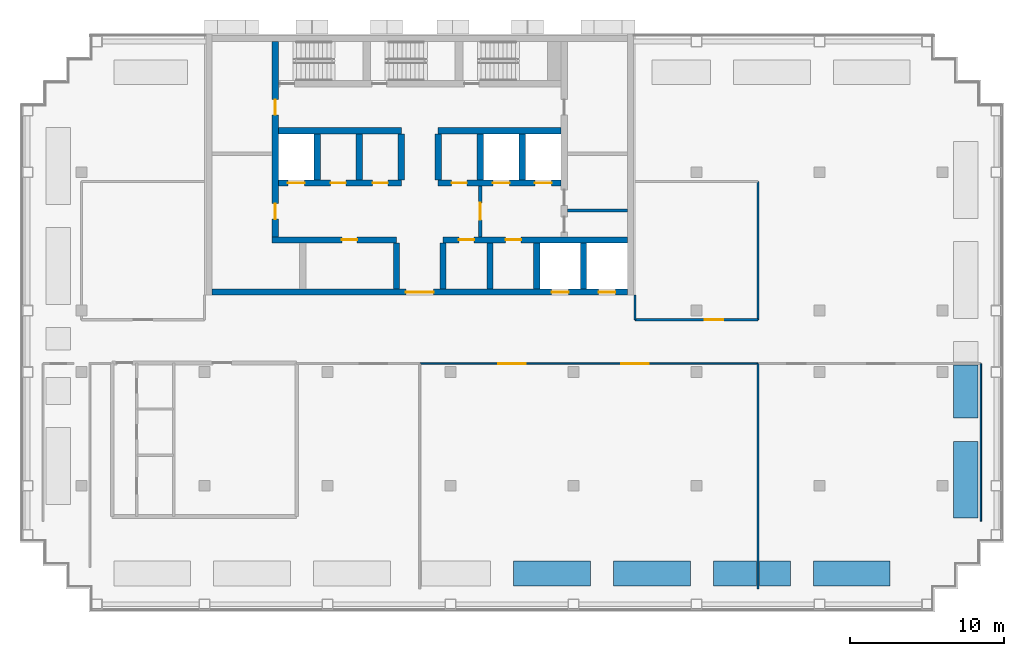
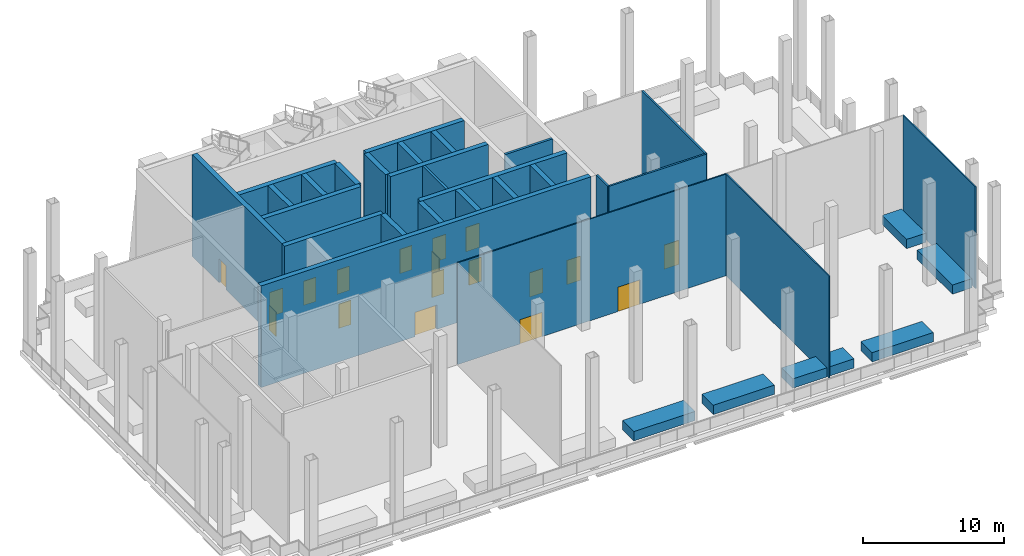
# One storey, part 3 of 9: 34 walls, 18 doors, 18 openings.
"""IFC4 building model written with IfcOpenShell, lengths in metres."""

from ifc_helpers import new_model, si_unit, direction, frame, frame_2d, origin, place, context, subcontext, project, spatial, rectangle, extrude, material, layer, layer_set, type_object, element, fill, save


model = new_model("IFC4")

# Units and contexts
model_context = context("Model", 3, precision=1e-05, world=origin(), true_north=direction((0.0, 1.0)))
body_context = subcontext(model_context, "Body", "Model", "MODEL_VIEW")
ifc_project = project(units=[si_unit("LENGTHUNIT", "METRE"), si_unit("AREAUNIT", "SQUARE_METRE"), si_unit("VOLUMEUNIT", "CUBIC_METRE"), si_unit("PLANEANGLEUNIT", "RADIAN"), si_unit("MASSUNIT", "GRAM", prefix="KILO")], contexts=[model_context])

# Site, building, storey
site_placement = place(None, origin())
site = spatial("IfcSite", under=ifc_project, at=site_placement, CompositionType="ELEMENT")
building_placement = place(site_placement, origin())
building = spatial("IfcBuilding", under=site, at=building_placement, Name="Vidyagriha Tower", CompositionType="ELEMENT")
storey_placement = place(building_placement, frame((0.0, 0.0, 194.10009765625)))
storey = spatial("IfcBuildingStorey", under=building, at=storey_placement, Name="L51", CompositionType="ELEMENT", Elevation=194.10009765625)

# Walls
ifc_material_1 = material(Name="Precast concrete C40/50 with brick facing", Category="concrete")
ifc_layer_1 = layer(ifc_material_1, 1.60009765625)
ifc_layer_set_1 = layer_set([ifc_layer_1], Name="Precast concrete C40/50 with brick facing")
wall_type_1 = type_object("IfcWallType", Name="Brick planter box 1600", PredefinedType="STANDARD", material=ifc_layer_set_1)
for number, where, name in (
    (1, (6.10009765625, -15.10009765625, 0.0), "PLANTER L51 13"),
    (2, (12.60009765625, -15.10009765625, 0.0), "PLANTER L51 14"),
    (3, (25.60009765625, -15.10009765625, 0.0), "PLANTER L51 16"),
):
    element("IfcWall", number, at=place(storey_placement, frame(where)), inside=storey, type_object=wall_type_1, Name=name, PredefinedType="STANDARD", context=body_context, shape_type="SweptSolid", body=[
        extrude(rectangle(XDim=5.0, YDim=1.60009765625, at=frame_2d((2.5, 0.0))), origin(), (0.0, 0.0, 1.0), 0.7998046875),
    ])
wall_1_placement = place(storey_placement, frame((35.5, -11.5, 0.0), z_axis=(0.0, 0.0, 1.0), x_axis=(0.0, 1.0, 0.0)))
element("IfcWall", 4, at=wall_1_placement, inside=storey, type_object=wall_type_1, Name="PLANTER L51 17", PredefinedType="STANDARD", context=body_context, shape_type="SweptSolid", body=[
    extrude(rectangle(XDim=5.0, YDim=1.60009765625, at=frame_2d((2.5, 0.0))), origin(), (0.0, 0.0, 1.0), 0.7998046875),
])
wall_2_placement = place(storey_placement, frame((19.10009765625, -15.10009765625, 0.0)))
element("IfcWall", 5, at=wall_2_placement, inside=storey, type_object=wall_type_1, Name="PLANTER L51 15", PredefinedType="STANDARD", context=body_context, shape_type="SweptSolid", body=[
    extrude(rectangle(XDim=2.7998046875, YDim=1.60009765625, at=frame_2d((1.39990234375, 0.0))), origin(), (0.0, 0.0, 1.0), 0.7998046875),
])
wall_3_placement = place(storey_placement, frame((22.10009765625, -15.10009765625, 0.0)))
element("IfcWall", 6, at=wall_3_placement, inside=storey, type_object=wall_type_1, Name="PLANTER L51 15", PredefinedType="STANDARD", context=body_context, shape_type="SweptSolid", body=[
    extrude(rectangle(XDim=2.0, YDim=1.60009765625, at=frame_2d((1.0, 0.0))), origin(), (0.0, 0.0, 1.0), 0.7998046875),
])
wall_4_placement = place(storey_placement, frame((35.5, -5.0, 0.0), z_axis=(0.0, 0.0, 1.0), x_axis=(0.0, 1.0, 0.0)))
element("IfcWall", 7, at=wall_4_placement, inside=storey, type_object=wall_type_1, Name="PLANTER L51 18", PredefinedType="STANDARD", context=body_context, shape_type="SweptSolid", body=[
    extrude(rectangle(XDim=3.449951171875, YDim=1.60009765625, at=frame_2d((1.72509765625, 0.0))), origin(), (0.0, 0.0, 1.0), 0.7998046875),
])

# Wall, openings, doors
ifc_material_2 = material(Name="Concrete C60/75", Category="concrete")
ifc_layer_2 = layer(ifc_material_2, 0.39990234375)
ifc_layer_set_2 = layer_set([ifc_layer_2], Name="Concrete C60/75")
wall_type_2 = type_object("IfcWallType", Name="Core shear wall 400 mm", PredefinedType="SHEAR", material=ifc_layer_set_2)
wall_5_placement = place(storey_placement, frame((-9.39990234375, 6.800048828125, 0.0), z_axis=(0.0, 0.0, 1.0), x_axis=(0.0, 1.0, 0.0)))
wall_5 = element("IfcWall", 8, at=wall_5_placement, inside=storey, type_object=wall_type_2, Name="Core west spine wall", PredefinedType="SHEAR", context=body_context, shape_type="SweptSolid", body=[
    extrude(rectangle(XDim=12.699951171875, YDim=0.39990234375, at=frame_2d((6.35009765625, 0.0))), origin(), (0.0, 0.0, 1.0), 8.7998046875),
])
opening_1_placement = place(wall_5_placement, frame((1.14990234375, 0.0, 0.0)))
opening_1 = element("IfcOpeningElement", 9, at=opening_1_placement, cuts=wall_5, Name="Opening D51-12", PredefinedType="OPENING", context=body_context, shape_type="SweptSolid", body=[
    extrude(rectangle(XDim=1.0, YDim=2.10009765625, at=frame_2d((0.5, 1.050048828125))), frame((0.0, 0.2099609375, 0.0), z_axis=(0.0, -1.0, 0.0), x_axis=(1.0, 0.0, 0.0)), (0.0, 0.0, 1.0), 0.419921875),
])
opening_2_placement = place(wall_5_placement, frame((7.925048828125, 0.0, 0.0)))
opening_2 = element("IfcOpeningElement", 10, at=opening_2_placement, cuts=wall_5, Name="Opening D51-13", PredefinedType="OPENING", context=body_context, shape_type="SweptSolid", body=[
    extrude(rectangle(XDim=1.0, YDim=2.10009765625, at=frame_2d((0.5, 1.050048828125))), frame((0.0, 0.2099609375, 0.0), z_axis=(0.0, -1.0, 0.0), x_axis=(1.0, 0.0, 0.0)), (0.0, 0.0, 1.0), 0.419921875),
])
ifc_material_3 = material(Name="Hollow metal door leaf")
door_type_1 = type_object("IfcDoorType", Name="Core room door 1000 x 2100 mm EI 60", OperationType="NOTDEFINED", PredefinedType="DOOR", material=ifc_material_3)
door_1_placement = place(opening_1_placement, frame((1.0, 0.0, 0.0), z_axis=(0.0, 0.0, 1.0), x_axis=(-1.0, 0.0, 0.0)))
door_1 = element("IfcDoor", 11, at=door_1_placement, inside=storey, type_object=door_type_1, Name="Door Storage Room 51.W1", OperationType="SINGLE_SWING_RIGHT", OverallHeight=2.10009765625, OverallWidth=1.0, PredefinedType="DOOR", context=body_context, shape_type="SweptSolid", body=[
    extrude(rectangle(XDim=1.0, YDim=2.10009765625, at=frame_2d((0.5, 1.050048828125))), frame((0.0, 0.02490234375, 0.0), z_axis=(0.0, -1.0, 0.0), x_axis=(1.0, 0.0, 0.0)), (0.0, 0.0, 1.0), 0.050048828125),
])
fill(opening_1, door_1)
door_2_placement = place(opening_2_placement, frame((1.0, 0.0, 0.0), z_axis=(0.0, 0.0, 1.0), x_axis=(-1.0, 0.0, 0.0)))
door_2 = element("IfcDoor", 12, at=door_2_placement, inside=storey, type_object=door_type_1, Name="Door Cleaners Store 51.W2", OperationType="SINGLE_SWING_LEFT", OverallHeight=2.10009765625, OverallWidth=1.0, PredefinedType="DOOR", context=body_context, shape_type="SweptSolid", body=[
    extrude(rectangle(XDim=1.0, YDim=2.10009765625, at=frame_2d((0.5, 1.050048828125))), frame((0.0, 0.02490234375, 0.0), z_axis=(0.0, -1.0, 0.0), x_axis=(1.0, 0.0, 0.0)), (0.0, 0.0, 1.0), 0.050048828125),
])
fill(opening_2, door_2)

wall_6_placement = place(storey_placement, frame((-13.5, 3.199951171875, 0.0)))
wall_6 = element("IfcWall", 13, at=wall_6_placement, inside=storey, type_object=wall_type_2, Name="Core front wall", PredefinedType="SHEAR", context=body_context, shape_type="SweptSolid", body=[
    extrude(rectangle(XDim=27.0, YDim=0.39990234375, at=frame_2d((13.5, 0.0))), origin(), (0.0, 0.0, 1.0), 8.7998046875),
])
opening_3_placement = place(wall_6_placement, frame((22.083251953125, 0.0, 0.0)))
opening_3 = element("IfcOpeningElement", 14, at=opening_3_placement, cuts=wall_6, Name="Opening LD51-01", PredefinedType="OPENING", context=body_context, shape_type="SweptSolid", body=[
    extrude(rectangle(XDim=1.10009765625, YDim=2.10009765625, at=frame_2d((0.550048828125, 1.050048828125))), frame((0.0, 0.2099609375, 0.0), z_axis=(0.0, -1.0, 0.0), x_axis=(1.0, 0.0, 0.0)), (0.0, 0.0, 1.0), 0.419921875),
])
opening_4_placement = place(wall_6_placement, frame((25.127685546875, 0.0, 0.0)))
opening_4 = element("IfcOpeningElement", 15, at=opening_4_placement, cuts=wall_6, Name="Opening LD51-02", PredefinedType="OPENING", context=body_context, shape_type="SweptSolid", body=[
    extrude(rectangle(XDim=1.10009765625, YDim=2.10009765625, at=frame_2d((0.550048828125, 1.050048828125))), frame((0.0, 0.2099609375, 0.0), z_axis=(0.0, -1.0, 0.0), x_axis=(1.0, 0.0, 0.0)), (0.0, 0.0, 1.0), 0.419921875),
])
opening_5_placement = place(wall_6_placement, frame((12.60009765625, 0.0, 0.0)))
opening_5 = element("IfcOpeningElement", 16, at=opening_5_placement, cuts=wall_6, Name="Opening D51-01", PredefinedType="OPENING", context=body_context, shape_type="SweptSolid", body=[
    extrude(rectangle(XDim=1.800048828125, YDim=2.10009765625, at=frame_2d((0.89990234375, 1.050048828125))), frame((0.0, 0.2099609375, 0.0), z_axis=(0.0, -1.0, 0.0), x_axis=(1.0, 0.0, 0.0)), (0.0, 0.0, 1.0), 0.419921875),
])
ifc_material_4 = material(Name="Hollow metal door leaf")
door_type_2 = type_object("IfcDoorType", Name="Core lobby double door 1800 x 2100 mm EI 60", OperationType="NOTDEFINED", PredefinedType="DOOR", material=ifc_material_4)
door_3_placement = place(opening_5_placement, frame((1.800048828125, 0.0, 0.0), z_axis=(0.0, 0.0, 1.0), x_axis=(-1.0, 0.0, 0.0)))
door_3 = element("IfcDoor", 17, at=door_3_placement, inside=storey, type_object=door_type_2, Name="Core entrance door L51", OperationType="DOUBLE_DOOR_SINGLE_SWING", OverallHeight=2.10009765625, OverallWidth=1.800048828125, PredefinedType="DOOR", context=body_context, shape_type="SweptSolid", body=[
    extrude(rectangle(XDim=1.800048828125, YDim=2.10009765625, at=frame_2d((0.89990234375, 1.050048828125))), frame((0.0, 0.02490234375, 0.0), z_axis=(0.0, -1.0, 0.0), x_axis=(1.0, 0.0, 0.0)), (0.0, 0.0, 1.0), 0.050048828125),
])
fill(opening_5, door_3)
ifc_material_5 = material(Name="Stainless steel sliding door panel", Category="steel")
door_type_3 = type_object("IfcDoorType", Name="Lift landing door 1100 x 2100 mm EI 90", OperationType="NOTDEFINED", PredefinedType="DOOR", material=ifc_material_5)
door_4_placement = place(opening_3_placement, origin())
door_4 = element("IfcDoor", 18, at=door_4_placement, inside=storey, type_object=door_type_3, Name="Landing door MR1 L51", OperationType="SLIDING_TO_LEFT", OverallHeight=2.10009765625, OverallWidth=1.10009765625, PredefinedType="DOOR", context=body_context, shape_type="SweptSolid", body=[
    extrude(rectangle(XDim=1.10009765625, YDim=2.10009765625, at=frame_2d((0.550048828125, 1.050048828125))), frame((0.0, 0.02490234375, 0.0), z_axis=(0.0, -1.0, 0.0), x_axis=(1.0, 0.0, 0.0)), (0.0, 0.0, 1.0), 0.050048828125),
])
fill(opening_3, door_4)
door_5_placement = place(opening_4_placement, origin())
door_5 = element("IfcDoor", 19, at=door_5_placement, inside=storey, type_object=door_type_3, Name="Landing door MR2 L51", OperationType="SLIDING_TO_LEFT", OverallHeight=2.10009765625, OverallWidth=1.10009765625, PredefinedType="DOOR", context=body_context, shape_type="SweptSolid", body=[
    extrude(rectangle(XDim=1.10009765625, YDim=2.10009765625, at=frame_2d((0.550048828125, 1.050048828125))), frame((0.0, 0.02490234375, 0.0), z_axis=(0.0, -1.0, 0.0), x_axis=(1.0, 0.0, 0.0)), (0.0, 0.0, 1.0), 0.050048828125),
])
fill(opening_4, door_5)

# Wall, opening, door
wall_7_placement = place(storey_placement, frame((-9.60009765625, 6.60009765625, 0.0)))
wall_7 = element("IfcWall", 20, at=wall_7_placement, inside=storey, type_object=wall_type_2, Name="Core lobby south wall west", PredefinedType="SHEAR", context=body_context, shape_type="SweptSolid", body=[
    extrude(rectangle(XDim=8.077880859375, YDim=0.39990234375, at=frame_2d((4.0390625, 0.0))), origin(), (0.0, 0.0, 1.0), 8.7998046875),
])
opening_6_placement = place(wall_7_placement, frame((4.533203125, 0.0, 0.0)))
opening_6 = element("IfcOpeningElement", 21, at=opening_6_placement, cuts=wall_7, Name="Opening D51-02", PredefinedType="OPENING", context=body_context, shape_type="SweptSolid", body=[
    extrude(rectangle(XDim=1.0, YDim=2.10009765625, at=frame_2d((0.5, 1.050048828125))), frame((0.0, 0.2099609375, 0.0), z_axis=(0.0, -1.0, 0.0), x_axis=(1.0, 0.0, 0.0)), (0.0, 0.0, 1.0), 0.419921875),
])
door_6_placement = place(opening_6_placement, origin())
door_6 = element("IfcDoor", 22, at=door_6_placement, inside=storey, type_object=door_type_1, Name="Door Storage Room 51.01", OperationType="SINGLE_SWING_RIGHT", OverallHeight=2.10009765625, OverallWidth=1.0, PredefinedType="DOOR", context=body_context, shape_type="SweptSolid", body=[
    extrude(rectangle(XDim=1.0, YDim=2.10009765625, at=frame_2d((0.5, 1.050048828125))), frame((0.0, 0.02490234375, 0.0), z_axis=(0.0, -1.0, 0.0), x_axis=(1.0, 0.0, 0.0)), (0.0, 0.0, 1.0), 0.050048828125),
])
fill(opening_6, door_6)

# Wall, openings, doors
wall_8_placement = place(storey_placement, frame((1.522216796875, 6.60009765625, 0.0)))
wall_8 = element("IfcWall", 23, at=wall_8_placement, inside=storey, type_object=wall_type_2, Name="Core lobby south wall east", PredefinedType="SHEAR", context=body_context, shape_type="SweptSolid", body=[
    extrude(rectangle(XDim=11.977783203125, YDim=0.39990234375, at=frame_2d((5.98876953125, 0.0))), origin(), (0.0, 0.0, 1.0), 8.7998046875),
])
opening_7_placement = place(wall_8_placement, frame((1.022216796875, 0.0, 0.0)))
opening_7 = element("IfcOpeningElement", 24, at=opening_7_placement, cuts=wall_8, Name="Opening D51-03", PredefinedType="OPENING", context=body_context, shape_type="SweptSolid", body=[
    extrude(rectangle(XDim=1.0, YDim=2.10009765625, at=frame_2d((0.5, 1.050048828125))), frame((0.0, 0.2099609375, 0.0), z_axis=(0.0, -1.0, 0.0), x_axis=(1.0, 0.0, 0.0)), (0.0, 0.0, 1.0), 0.419921875),
])
opening_8_placement = place(wall_8_placement, frame((4.066650390625, 0.0, 0.0)))
opening_8 = element("IfcOpeningElement", 25, at=opening_8_placement, cuts=wall_8, Name="Opening D51-04", PredefinedType="OPENING", context=body_context, shape_type="SweptSolid", body=[
    extrude(rectangle(XDim=1.0, YDim=2.10009765625, at=frame_2d((0.5, 1.050048828125))), frame((0.0, 0.2099609375, 0.0), z_axis=(0.0, -1.0, 0.0), x_axis=(1.0, 0.0, 0.0)), (0.0, 0.0, 1.0), 0.419921875),
])
door_7_placement = place(opening_7_placement, origin())
door_7 = element("IfcDoor", 26, at=door_7_placement, inside=storey, type_object=door_type_1, Name="Door Electrical Room 51.02", OperationType="SINGLE_SWING_RIGHT", OverallHeight=2.10009765625, OverallWidth=1.0, PredefinedType="DOOR", context=body_context, shape_type="SweptSolid", body=[
    extrude(rectangle(XDim=1.0, YDim=2.10009765625, at=frame_2d((0.5, 1.050048828125))), frame((0.0, 0.02490234375, 0.0), z_axis=(0.0, -1.0, 0.0), x_axis=(1.0, 0.0, 0.0)), (0.0, 0.0, 1.0), 0.050048828125),
])
fill(opening_7, door_7)
door_8_placement = place(opening_8_placement, origin())
door_8 = element("IfcDoor", 27, at=door_8_placement, inside=storey, type_object=door_type_1, Name="Door Communications Room 51.03", OperationType="SINGLE_SWING_RIGHT", OverallHeight=2.10009765625, OverallWidth=1.0, PredefinedType="DOOR", context=body_context, shape_type="SweptSolid", body=[
    extrude(rectangle(XDim=1.0, YDim=2.10009765625, at=frame_2d((0.5, 1.050048828125))), frame((0.0, 0.02490234375, 0.0), z_axis=(0.0, -1.0, 0.0), x_axis=(1.0, 0.0, 0.0)), (0.0, 0.0, 1.0), 0.050048828125),
])
fill(opening_8, door_8)

# Walls
for number, where, z_axis, x_axis, name in (
    (28, (-1.522216796875, 3.39990234375, 0.0), (0.0, 0.0, 1.0), (0.0, 1.0, 0.0), "Core bay wall S4"),
    (29, (1.522216796875, 3.39990234375, 0.0), (0.0, 0.0, 1.0), (0.0, 1.0, 0.0), "Core bay wall S5"),
    (30, (4.566650390625, 3.39990234375, 0.0), (0.0, 0.0, 1.0), (0.0, 1.0, 0.0), "Core bay wall S6"),
    (31, (7.611083984375, 3.39990234375, 0.0), (0.0, 0.0, 1.0), (0.0, 1.0, 0.0), "Core bay wall S7"),
    (32, (10.655517578125, 3.39990234375, 0.0), (0.0, 0.0, 1.0), (0.0, 1.0, 0.0), "Core bay wall S8"),
):
    element("IfcWall", number, at=place(storey_placement, frame(where, z_axis=z_axis, x_axis=x_axis)), inside=storey, type_object=wall_type_2, Name=name, PredefinedType="SHEAR", context=body_context, shape_type="SweptSolid", body=[
        extrude(rectangle(XDim=3.0, YDim=0.39990234375, at=frame_2d((1.5, 0.0))), origin(), (0.0, 0.0, 1.0), 8.7998046875),
    ])

# Wall, openings, doors
wall_9_placement = place(storey_placement, frame((-9.199951171875, 10.300048828125, 0.0)))
wall_9 = element("IfcWall", 33, at=wall_9_placement, inside=storey, type_object=wall_type_2, Name="Core row N front wall", PredefinedType="SHEAR", context=body_context, shape_type="SweptSolid", body=[
    extrude(rectangle(XDim=8.0, YDim=0.39990234375, at=frame_2d((4.0, 0.0))), origin(), (0.0, 0.0, 1.0), 8.7998046875),
])
opening_9_placement = place(wall_9_placement, frame((0.61669921875, 0.0, 0.0)))
opening_9 = element("IfcOpeningElement", 34, at=opening_9_placement, cuts=wall_9, Name="Opening LD51-03", PredefinedType="OPENING", context=body_context, shape_type="SweptSolid", body=[
    extrude(rectangle(XDim=1.10009765625, YDim=2.10009765625, at=frame_2d((0.550048828125, 1.050048828125))), frame((0.0, 0.2099609375, 0.0), z_axis=(0.0, -1.0, 0.0), x_axis=(1.0, 0.0, 0.0)), (0.0, 0.0, 1.0), 0.419921875),
])
opening_10_placement = place(wall_9_placement, frame((3.39990234375, 0.0, 0.0)))
opening_10 = element("IfcOpeningElement", 35, at=opening_10_placement, cuts=wall_9, Name="Opening D51-05", PredefinedType="OPENING", context=body_context, shape_type="SweptSolid", body=[
    extrude(rectangle(XDim=1.0, YDim=2.10009765625, at=frame_2d((0.5, 1.050048828125))), frame((0.0, 0.2099609375, 0.0), z_axis=(0.0, -1.0, 0.0), x_axis=(1.0, 0.0, 0.0)), (0.0, 0.0, 1.0), 0.419921875),
])
opening_11_placement = place(wall_9_placement, frame((6.13330078125, 0.0, 0.0)))
opening_11 = element("IfcOpeningElement", 36, at=opening_11_placement, cuts=wall_9, Name="Opening D51-06", PredefinedType="OPENING", context=body_context, shape_type="SweptSolid", body=[
    extrude(rectangle(XDim=1.0, YDim=2.10009765625, at=frame_2d((0.5, 1.050048828125))), frame((0.0, 0.2099609375, 0.0), z_axis=(0.0, -1.0, 0.0), x_axis=(1.0, 0.0, 0.0)), (0.0, 0.0, 1.0), 0.419921875),
])
door_9_placement = place(opening_10_placement, frame((1.0, 0.0, 0.0), z_axis=(0.0, 0.0, 1.0), x_axis=(-1.0, 0.0, 0.0)))
door_9 = element("IfcDoor", 37, at=door_9_placement, inside=storey, type_object=door_type_1, Name="Door Pressurisation Plant Room 51.14", OperationType="SINGLE_SWING_RIGHT", OverallHeight=2.10009765625, OverallWidth=1.0, PredefinedType="DOOR", context=body_context, shape_type="SweptSolid", body=[
    extrude(rectangle(XDim=1.0, YDim=2.10009765625, at=frame_2d((0.5, 1.050048828125))), frame((0.0, 0.02490234375, 0.0), z_axis=(0.0, -1.0, 0.0), x_axis=(1.0, 0.0, 0.0)), (0.0, 0.0, 1.0), 0.050048828125),
])
fill(opening_10, door_9)
door_10_placement = place(opening_11_placement, frame((1.0, 0.0, 0.0), z_axis=(0.0, 0.0, 1.0), x_axis=(-1.0, 0.0, 0.0)))
door_10 = element("IfcDoor", 38, at=door_10_placement, inside=storey, type_object=door_type_1, Name="Door Switchgear Room 51.15", OperationType="SINGLE_SWING_LEFT", OverallHeight=2.10009765625, OverallWidth=1.0, PredefinedType="DOOR", context=body_context, shape_type="SweptSolid", body=[
    extrude(rectangle(XDim=1.0, YDim=2.10009765625, at=frame_2d((0.5, 1.050048828125))), frame((0.0, 0.02490234375, 0.0), z_axis=(0.0, -1.0, 0.0), x_axis=(1.0, 0.0, 0.0)), (0.0, 0.0, 1.0), 0.050048828125),
])
fill(opening_11, door_10)
door_11_placement = place(opening_9_placement, origin())
door_11 = element("IfcDoor", 39, at=door_11_placement, inside=storey, type_object=door_type_3, Name="Landing door MR3 L51", OperationType="SLIDING_TO_LEFT", OverallHeight=2.10009765625, OverallWidth=1.10009765625, PredefinedType="DOOR", context=body_context, shape_type="SweptSolid", body=[
    extrude(rectangle(XDim=1.10009765625, YDim=2.10009765625, at=frame_2d((0.550048828125, 1.050048828125))), frame((0.0, 0.02490234375, 0.0), z_axis=(0.0, -1.0, 0.0), x_axis=(1.0, 0.0, 0.0)), (0.0, 0.0, 1.0), 0.050048828125),
])
fill(opening_9, door_11)

# Wall
wall_10_placement = place(storey_placement, frame((-9.199951171875, 13.699951171875, 0.0)))
element("IfcWall", 40, at=wall_10_placement, inside=storey, type_object=wall_type_2, Name="Core row N rear wall", PredefinedType="SHEAR", context=body_context, shape_type="SweptSolid", body=[
    extrude(rectangle(XDim=8.0, YDim=0.39990234375, at=frame_2d((4.0, 0.0))), origin(), (0.0, 0.0, 1.0), 8.7998046875),
])

# Wall, openings, doors
wall_11_placement = place(storey_placement, frame((1.199951171875, 10.300048828125, 0.0)))
wall_11 = element("IfcWall", 41, at=wall_11_placement, inside=storey, type_object=wall_type_2, Name="Core row N front wall", PredefinedType="SHEAR", context=body_context, shape_type="SweptSolid", body=[
    extrude(rectangle(XDim=8.0, YDim=0.39990234375, at=frame_2d((4.0, 0.0))), origin(), (0.0, 0.0, 1.0), 8.7998046875),
])
opening_12_placement = place(wall_11_placement, frame((3.550048828125, 0.0, 0.0)))
opening_12 = element("IfcOpeningElement", 42, at=opening_12_placement, cuts=wall_11, Name="Opening LD51-04", PredefinedType="OPENING", context=body_context, shape_type="SweptSolid", body=[
    extrude(rectangle(XDim=1.10009765625, YDim=2.10009765625, at=frame_2d((0.550048828125, 1.050048828125))), frame((0.0, 0.2099609375, 0.0), z_axis=(0.0, -1.0, 0.0), x_axis=(1.0, 0.0, 0.0)), (0.0, 0.0, 1.0), 0.419921875),
])
opening_13_placement = place(wall_11_placement, frame((6.283203125, 0.0, 0.0)))
opening_13 = element("IfcOpeningElement", 43, at=opening_13_placement, cuts=wall_11, Name="Opening LD51-05", PredefinedType="OPENING", context=body_context, shape_type="SweptSolid", body=[
    extrude(rectangle(XDim=1.10009765625, YDim=2.10009765625, at=frame_2d((0.550048828125, 1.050048828125))), frame((0.0, 0.2099609375, 0.0), z_axis=(0.0, -1.0, 0.0), x_axis=(1.0, 0.0, 0.0)), (0.0, 0.0, 1.0), 0.419921875),
])
opening_14_placement = place(wall_11_placement, frame((0.86669921875, 0.0, 0.0)))
opening_14 = element("IfcOpeningElement", 44, at=opening_14_placement, cuts=wall_11, Name="Opening D51-07", PredefinedType="OPENING", context=body_context, shape_type="SweptSolid", body=[
    extrude(rectangle(XDim=1.0, YDim=2.10009765625, at=frame_2d((0.5, 1.050048828125))), frame((0.0, 0.2099609375, 0.0), z_axis=(0.0, -1.0, 0.0), x_axis=(1.0, 0.0, 0.0)), (0.0, 0.0, 1.0), 0.419921875),
])
door_12_placement = place(opening_14_placement, frame((1.0, 0.0, 0.0), z_axis=(0.0, 0.0, 1.0), x_axis=(-1.0, 0.0, 0.0)))
door_12 = element("IfcDoor", 45, at=door_12_placement, inside=storey, type_object=door_type_1, Name="Door Electrical Room 51.16", OperationType="SINGLE_SWING_LEFT", OverallHeight=2.10009765625, OverallWidth=1.0, PredefinedType="DOOR", context=body_context, shape_type="SweptSolid", body=[
    extrude(rectangle(XDim=1.0, YDim=2.10009765625, at=frame_2d((0.5, 1.050048828125))), frame((0.0, 0.02490234375, 0.0), z_axis=(0.0, -1.0, 0.0), x_axis=(1.0, 0.0, 0.0)), (0.0, 0.0, 1.0), 0.050048828125),
])
fill(opening_14, door_12)
door_13_placement = place(opening_12_placement, origin())
door_13 = element("IfcDoor", 46, at=door_13_placement, inside=storey, type_object=door_type_3, Name="Landing door FF1 L51", OperationType="SLIDING_TO_LEFT", OverallHeight=2.10009765625, OverallWidth=1.10009765625, PredefinedType="DOOR", context=body_context, shape_type="SweptSolid", body=[
    extrude(rectangle(XDim=1.10009765625, YDim=2.10009765625, at=frame_2d((0.550048828125, 1.050048828125))), frame((0.0, 0.02490234375, 0.0), z_axis=(0.0, -1.0, 0.0), x_axis=(1.0, 0.0, 0.0)), (0.0, 0.0, 1.0), 0.050048828125),
])
fill(opening_12, door_13)
door_14_placement = place(opening_13_placement, origin())
door_14 = element("IfcDoor", 47, at=door_14_placement, inside=storey, type_object=door_type_3, Name="Landing door FF2 L51", OperationType="SLIDING_TO_LEFT", OverallHeight=2.10009765625, OverallWidth=1.10009765625, PredefinedType="DOOR", context=body_context, shape_type="SweptSolid", body=[
    extrude(rectangle(XDim=1.10009765625, YDim=2.10009765625, at=frame_2d((0.550048828125, 1.050048828125))), frame((0.0, 0.02490234375, 0.0), z_axis=(0.0, -1.0, 0.0), x_axis=(1.0, 0.0, 0.0)), (0.0, 0.0, 1.0), 0.050048828125),
])
fill(opening_13, door_14)

# Walls
wall_12_placement = place(storey_placement, frame((1.199951171875, 13.699951171875, 0.0)))
element("IfcWall", 48, at=wall_12_placement, inside=storey, type_object=wall_type_2, Name="Core row N rear wall", PredefinedType="SHEAR", context=body_context, shape_type="SweptSolid", body=[
    extrude(rectangle(XDim=8.0, YDim=0.39990234375, at=frame_2d((4.0, 0.0))), origin(), (0.0, 0.0, 1.0), 8.7998046875),
])
for number, where, z_axis, x_axis, name in (
    (49, (-6.666748046875, 10.5, 0.0), (0.0, 0.0, 1.0), (0.0, 1.0, 0.0), "Core bay wall N1"),
    (50, (-3.933349609375, 10.5, 0.0), (0.0, 0.0, 1.0), (0.0, 1.0, 0.0), "Core bay wall N2"),
    (51, (-1.199951171875, 10.5, 0.0), (0.0, 0.0, 1.0), (0.0, 1.0, 0.0), "Core bay wall N3"),
    (52, (1.199951171875, 10.5, 0.0), (0.0, 0.0, 1.0), (0.0, 1.0, 0.0), "Core bay wall N4"),
    (53, (3.933349609375, 10.5, 0.0), (0.0, 0.0, 1.0), (0.0, 1.0, 0.0), "Core bay wall N5"),
    (54, (6.666748046875, 10.5, 0.0), (0.0, 0.0, 1.0), (0.0, 1.0, 0.0), "Core bay wall N6"),
):
    element("IfcWall", number, at=place(storey_placement, frame(where, z_axis=z_axis, x_axis=x_axis)), inside=storey, type_object=wall_type_2, Name=name, PredefinedType="SHEAR", context=body_context, shape_type="SweptSolid", body=[
        extrude(rectangle(XDim=3.0, YDim=0.39990234375, at=frame_2d((1.5, 0.0))), origin(), (0.0, 0.0, 1.0), 8.7998046875),
    ])

# Wall, openings, doors
ifc_material_6 = material(Name="Glass clear low-iron", Category="glass")
ifc_layer_3 = layer(ifc_material_6, 0.10009765625)
ifc_layer_set_3 = layer_set([ifc_layer_3], Name="Glass clear low-iron")
wall_type_3 = type_object("IfcWallType", Name="Glazed partition 100", PredefinedType="PARTITIONING", material=ifc_layer_set_3)
wall_13_placement = place(storey_placement, frame((0.0, -1.449951171875, 0.0)))
wall_13 = element("IfcWall", 55, at=wall_13_placement, inside=storey, type_object=wall_type_3, Name="Wall all-L51-w027", PredefinedType="PARTITIONING", context=body_context, shape_type="SweptSolid", body=[
    extrude(rectangle(XDim=22.0, YDim=0.10009765625, at=frame_2d((11.0, 0.0))), origin(), (0.0, 0.0, 1.0), 8.7998046875),
])
opening_15_placement = place(wall_13_placement, frame((5.10009765625, 0.0, 0.0)))
opening_15 = element("IfcOpeningElement", 56, at=opening_15_placement, cuts=wall_13, Name="Opening D51-26", PredefinedType="OPENING", context=body_context, shape_type="SweptSolid", body=[
    extrude(rectangle(XDim=1.800048828125, YDim=2.10009765625, at=frame_2d((0.89990234375, 1.050048828125))), frame((0.0, 0.06005859375, 0.0), z_axis=(0.0, -1.0, 0.0), x_axis=(1.0, 0.0, 0.0)), (0.0, 0.0, 1.0), 0.1201171875),
])
opening_16_placement = place(wall_13_placement, frame((13.10009765625, 0.0, 0.0)))
opening_16 = element("IfcOpeningElement", 57, at=opening_16_placement, cuts=wall_13, Name="Opening D51-27", PredefinedType="OPENING", context=body_context, shape_type="SweptSolid", body=[
    extrude(rectangle(XDim=1.800048828125, YDim=2.10009765625, at=frame_2d((0.89990234375, 1.050048828125))), frame((0.0, 0.06005859375, 0.0), z_axis=(0.0, -1.0, 0.0), x_axis=(1.0, 0.0, 0.0)), (0.0, 0.0, 1.0), 0.1201171875),
])
ifc_material_7 = material(Name="Timber door leaf", Category="wood")
door_type_4 = type_object("IfcDoorType", Name="Room door 1800x2100", OperationType="NOTDEFINED", PredefinedType="DOOR", material=ifc_material_7)
door_15_placement = place(opening_15_placement, origin())
door_15 = element("IfcDoor", 58, at=door_15_placement, inside=storey, type_object=door_type_4, Name="Door D51-26", OperationType="DOUBLE_DOOR_SINGLE_SWING", OverallHeight=2.10009765625, OverallWidth=1.800048828125, PredefinedType="DOOR", context=body_context, shape_type="SweptSolid", body=[
    extrude(rectangle(XDim=1.800048828125, YDim=2.10009765625, at=frame_2d((0.89990234375, 1.050048828125))), frame((0.0, 0.02490234375, 0.0), z_axis=(0.0, -1.0, 0.0), x_axis=(1.0, 0.0, 0.0)), (0.0, 0.0, 1.0), 0.050048828125),
])
fill(opening_15, door_15)
door_16_placement = place(opening_16_placement, origin())
door_16 = element("IfcDoor", 59, at=door_16_placement, inside=storey, type_object=door_type_4, Name="Door D51-27", OperationType="DOUBLE_DOOR_SINGLE_SWING", OverallHeight=2.10009765625, OverallWidth=1.800048828125, PredefinedType="DOOR", context=body_context, shape_type="SweptSolid", body=[
    extrude(rectangle(XDim=1.800048828125, YDim=2.10009765625, at=frame_2d((0.89990234375, 1.050048828125))), frame((0.0, 0.02490234375, 0.0), z_axis=(0.0, -1.0, 0.0), x_axis=(1.0, 0.0, 0.0)), (0.0, 0.0, 1.0), 0.050048828125),
])
fill(opening_16, door_16)

# Walls
wall_14_placement = place(storey_placement, frame((22.0, -1.449951171875, 0.0), z_axis=(0.0, 0.0, 1.0), x_axis=(0.0, -1.0, 0.0)))
element("IfcWall", 60, at=wall_14_placement, inside=storey, type_object=wall_type_3, Name="Wall all-L51-w035", PredefinedType="PARTITIONING", context=body_context, shape_type="SweptSolid", body=[
    extrude(rectangle(XDim=14.650146484375, YDim=0.10009765625, at=frame_2d((7.3251953125, 0.0))), origin(), (0.0, 0.0, 1.0), 8.7998046875),
])
wall_15_placement = place(storey_placement, frame((36.5, -1.449951171875, 0.0), z_axis=(0.0, 0.0, 1.0), x_axis=(0.0, -1.0, 0.0)))
element("IfcWall", 61, at=wall_15_placement, inside=storey, type_object=wall_type_3, Name="Wall all-L51-w039", PredefinedType="PARTITIONING", context=body_context, shape_type="SweptSolid", body=[
    extrude(rectangle(XDim=10.2509765625, YDim=0.10009765625, at=frame_2d((5.12548828125, 0.0))), origin(), (0.0, 0.0, 1.0), 8.7998046875),
])
ifc_material_8 = material(Name="Gypsum board partition")
ifc_layer_4 = layer(ifc_material_8, 0.14990234375)
ifc_layer_set_4 = layer_set([ifc_layer_4], Name="Gypsum board partition")
wall_type_4 = type_object("IfcWallType", Name="Gypsum board partition 150", PredefinedType="PARTITIONING", material=ifc_layer_set_4)
wall_16_placement = place(storey_placement, frame((22.0, 1.39990234375, 0.0), z_axis=(0.0, 0.0, 1.0), x_axis=(0.0, 1.0, 0.0)))
element("IfcWall", 62, at=wall_16_placement, inside=storey, type_object=wall_type_4, Name="Wall all-L51-w019", PredefinedType="PARTITIONING", context=body_context, shape_type="SweptSolid", body=[
    extrude(rectangle(XDim=9.0, YDim=0.14990234375, at=frame_2d((4.5, 0.0))), origin(), (0.0, 0.0, 1.0), 8.7998046875),
])

# Wall, opening, door
wall_17_placement = place(storey_placement, frame((14.0, 1.39990234375, 0.0)))
wall_17 = element("IfcWall", 63, at=wall_17_placement, inside=storey, type_object=wall_type_4, Name="Wall all-L51-w021", PredefinedType="PARTITIONING", context=body_context, shape_type="SweptSolid", body=[
    extrude(rectangle(XDim=8.0, YDim=0.14990234375, at=frame_2d((4.0, 0.0))), origin(), (0.0, 0.0, 1.0), 8.7998046875),
])
opening_17_placement = place(wall_17_placement, frame((4.547119140625, 0.0, 0.0)))
opening_17 = element("IfcOpeningElement", 64, at=opening_17_placement, cuts=wall_17, Name="Opening D51-23", PredefinedType="OPENING", context=body_context, shape_type="SweptSolid", body=[
    extrude(rectangle(XDim=1.199951171875, YDim=2.10009765625, at=frame_2d((0.60009765625, 1.050048828125))), frame((0.0, 0.0849609375, 0.0), z_axis=(0.0, -1.0, 0.0), x_axis=(1.0, 0.0, 0.0)), (0.0, 0.0, 1.0), 0.169921875),
])
ifc_material_9 = material(Name="Timber door leaf", Category="wood")
door_type_5 = type_object("IfcDoorType", Name="Room door 1200x2100", OperationType="NOTDEFINED", PredefinedType="DOOR", material=ifc_material_9)
door_17_placement = place(opening_17_placement, origin())
door_17 = element("IfcDoor", 65, at=door_17_placement, inside=storey, type_object=door_type_5, Name="Door D51-23", OperationType="SINGLE_SWING_RIGHT", OverallHeight=2.10009765625, OverallWidth=1.199951171875, PredefinedType="DOOR", context=body_context, shape_type="SweptSolid", body=[
    extrude(rectangle(XDim=1.199951171875, YDim=2.10009765625, at=frame_2d((0.60009765625, 1.050048828125))), frame((0.0, 0.02490234375, 0.0), z_axis=(0.0, -1.0, 0.0), x_axis=(1.0, 0.0, 0.0)), (0.0, 0.0, 1.0), 0.050048828125),
])
fill(opening_17, door_17)

# Wall
wall_18_placement = place(storey_placement, frame((14.0, 3.0, 0.0), z_axis=(0.0, 0.0, 1.0), x_axis=(0.0, -1.0, 0.0)))
element("IfcWall", 66, at=wall_18_placement, inside=storey, type_object=wall_type_4, Name="Wall all-L51-w022", PredefinedType="PARTITIONING", context=body_context, shape_type="SweptSolid", body=[
    extrude(rectangle(XDim=1.60009765625, YDim=0.14990234375, at=frame_2d((0.800048828125, 0.0))), origin(), (0.0, 0.0, 1.0), 8.7998046875),
])

# Wall, opening, door
ifc_material_10 = material(Name="Blockwork 15 MPa", Category="masonry")
ifc_layer_5 = layer(ifc_material_10, 0.199951171875)
ifc_layer_set_5 = layer_set([ifc_layer_5], Name="Blockwork 15 MPa")
wall_type_5 = type_object("IfcWallType", Name="Service room partition 200 mm", PredefinedType="PARTITIONING", material=ifc_layer_set_5)
wall_19_placement = place(storey_placement, frame((3.933349609375, 6.800048828125, 0.0), z_axis=(0.0, 0.0, 1.0), x_axis=(0.0, 1.0, 0.0)))
wall_19 = element("IfcWall", 67, at=wall_19_placement, inside=storey, type_object=wall_type_5, Name="Fire-fighting lobby west wall", PredefinedType="PARTITIONING", context=body_context, shape_type="SweptSolid", body=[
    extrude(rectangle(XDim=3.300048828125, YDim=0.199951171875, at=frame_2d((1.64990234375, 0.0))), origin(), (0.0, 0.0, 1.0), 8.7998046875),
])
opening_18_placement = place(wall_19_placement, frame((1.10009765625, 0.0, 0.0)))
opening_18 = element("IfcOpeningElement", 68, at=opening_18_placement, cuts=wall_19, Name="Opening D51-08", PredefinedType="OPENING", context=body_context, shape_type="SweptSolid", body=[
    extrude(rectangle(XDim=1.10009765625, YDim=2.10009765625, at=frame_2d((0.550048828125, 1.050048828125))), frame((0.0, 0.10986328125, 0.0), z_axis=(0.0, -1.0, 0.0), x_axis=(1.0, 0.0, 0.0)), (0.0, 0.0, 1.0), 0.219970703125),
])
ifc_material_11 = material(Name="Hollow metal door leaf")
door_type_6 = type_object("IfcDoorType", Name="Fire-fighting lobby door 1100 x 2100 mm EI 90", OperationType="NOTDEFINED", PredefinedType="DOOR", material=ifc_material_11)
door_18_placement = place(opening_18_placement, origin())
door_18 = element("IfcDoor", 69, at=door_18_placement, inside=storey, type_object=door_type_6, Name="Fire-fighting lobby door L51", OperationType="SINGLE_SWING_RIGHT", OverallHeight=2.10009765625, OverallWidth=1.10009765625, PredefinedType="DOOR", context=body_context, shape_type="SweptSolid", body=[
    extrude(rectangle(XDim=1.10009765625, YDim=2.10009765625, at=frame_2d((0.550048828125, 1.050048828125))), frame((0.0, 0.02490234375, 0.0), z_axis=(0.0, -1.0, 0.0), x_axis=(1.0, 0.0, 0.0)), (0.0, 0.0, 1.0), 0.050048828125),
])
fill(opening_18, door_18)

# Wall
wall_20_placement = place(storey_placement, frame((9.60009765625, 8.5, 0.0)))
element("IfcWall", 70, at=wall_20_placement, inside=storey, type_object=wall_type_5, Name="Core room partition E1", PredefinedType="PARTITIONING", context=body_context, shape_type="SweptSolid", body=[
    extrude(rectangle(XDim=3.89990234375, YDim=0.199951171875, at=frame_2d((1.949951171875, 0.0))), origin(), (0.0, 0.0, 1.0), 8.7998046875),
])

save(model, "model.ifc")
